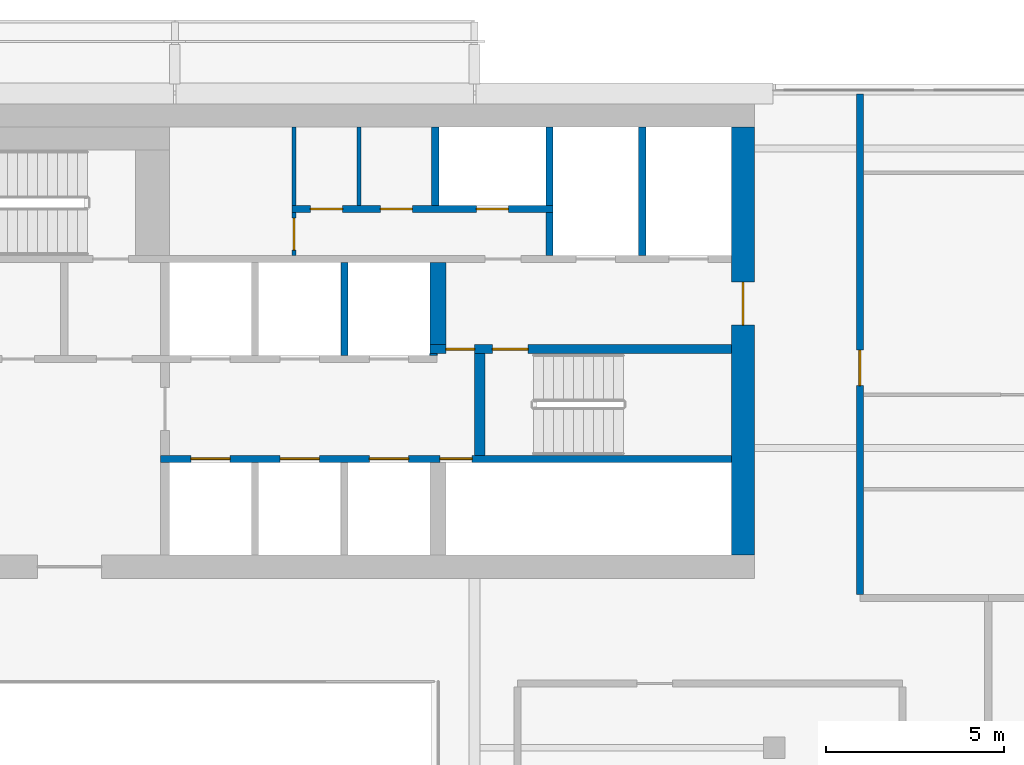
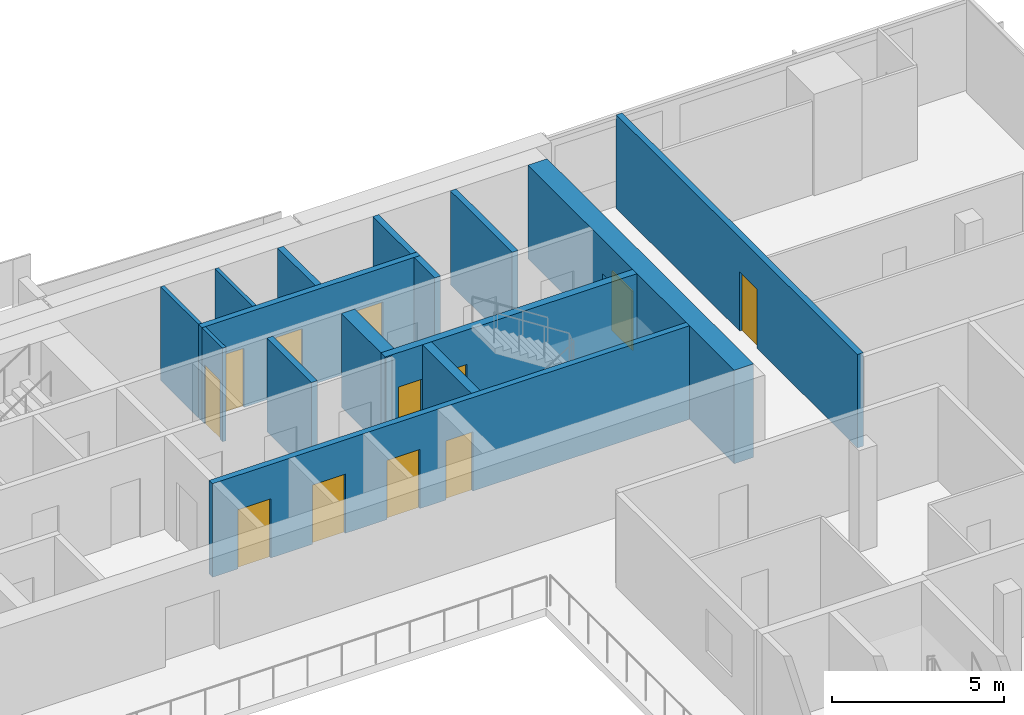
# One storey, part 22 of 26: 16 walls, 12 doors, 12 openings.
"""IFC4 building model written with IfcOpenShell, lengths in metres."""

import ifcopenshell
import ifcopenshell.guid

model = None  # the IFC model being written
_history = None  # IfcOwnerHistory: only IFC2X3 demands one
_inside = {}  # id of a spatial element -> (the spatial element, [elements in it])
_under = {}  # id of a project, library or spatial element -> (it, [spatial elements below it])
_declared = {}  # id of a project -> (the project, [libraries it declares])
_typed = {}  # id of a type object -> (the type object, [elements of that type])
_made_of = {}  # id of a material, layer set ... -> (it, [elements and type objects made of it])


def new_model(schema):
    """Start an empty IFC model of exactly this schema.

    Asked for "IFC4X3", IfcOpenShell would pick the latest addendum, in which some entities
    have other attributes; the version numbers below select the first issue.
    IFC2X3 requires an IfcOwnerHistory on every rooted entity: one is made here for all.
    """
    global model, _history
    if schema == "IFC4X3":
        model = ifcopenshell.file(schema_version=(4, 3, 0, 0))
    else:
        model = ifcopenshell.file(schema=schema)
    _inside.clear()
    _under.clear()
    _declared.clear()
    _typed.clear()
    _made_of.clear()
    _history = None
    if model.schema == "IFC2X3":
        org = make("IfcOrganization", Name="unknown")
        user = make(
            "IfcPersonAndOrganization",
            ThePerson=make("IfcPerson", FamilyName="unknown"),
            TheOrganization=org,
        )
        app = make(
            "IfcApplication",
            ApplicationDeveloper=org,
            Version="unknown",
            ApplicationFullName="unknown",
            ApplicationIdentifier="unknown",
        )
        _history = make(
            "IfcOwnerHistory",
            OwningUser=user,
            OwningApplication=app,
            ChangeAction="ADDED",
            CreationDate=0,
        )
    return model


def make(cls, **values):
    """One entity of the class cls with the attributes given. An attribute that is None is left unset."""
    return model.create_entity(
        cls, **{name: value for name, value in values.items() if value is not None}
    )


def rooted(cls, **values):
    """An entity with a GlobalId (a new one), such as an element, a storey or a relation."""
    return make(cls, GlobalId=ifcopenshell.guid.new(), OwnerHistory=_history, **values)


def si_unit(unit_type, name, prefix=None):
    """IfcSIUnit, for example si_unit("LENGTHUNIT", "METRE", prefix="MILLI")."""
    return make("IfcSIUnit", UnitType=unit_type, Prefix=prefix, Name=name)


def assignment(units):
    """IfcUnitAssignment: the units of a project."""
    return None if units is None else make("IfcUnitAssignment", Units=units)


def point(xyz):
    """IfcCartesianPoint."""
    return None if xyz is None else make("IfcCartesianPoint", Coordinates=xyz)


def direction(xyz):
    """IfcDirection."""
    return None if xyz is None else make("IfcDirection", DirectionRatios=xyz)


def frame(location, z_axis=None, x_axis=None):
    """IfcAxis2Placement3D, a coordinate frame: its origin and axes. An axis left out is left unset."""
    return make(
        "IfcAxis2Placement3D",
        Location=point(location),
        Axis=direction(z_axis),
        RefDirection=direction(x_axis),
    )


def frame_2d(location, x_axis=None):
    """IfcAxis2Placement2D, a coordinate frame in the plane: its origin and x axis."""
    return make(
        "IfcAxis2Placement2D", Location=point(location), RefDirection=direction(x_axis)
    )


def origin():
    """The frame at (0, 0, 0) with its axes left unset."""
    return frame((0.0, 0.0, 0.0))


def place(relative_to, where):
    """IfcLocalPlacement: puts the frame where relative to a parent placement (None: the world)."""
    return make(
        "IfcLocalPlacement", PlacementRelTo=relative_to, RelativePlacement=where
    )


def context(
    kind, dimensions, precision=None, world=None, true_north=None, identifier=None
):
    """IfcGeometricRepresentationContext, for example the 3D "Model" context."""
    return make(
        "IfcGeometricRepresentationContext",
        ContextIdentifier=identifier,
        ContextType=kind,
        CoordinateSpaceDimension=dimensions,
        Precision=precision,
        WorldCoordinateSystem=world,
        TrueNorth=true_north,
    )


def subcontext(parent, identifier, kind, view, scale=None):
    """IfcGeometricRepresentationSubContext, for example "Body" below "Model"."""
    return make(
        "IfcGeometricRepresentationSubContext",
        ContextIdentifier=identifier,
        ContextType=kind,
        ParentContext=parent,
        TargetScale=scale,
        TargetView=view,
    )


def project(units=None, contexts=None):
    """IfcProject with its units and contexts."""
    return rooted(
        "IfcProject",
        Name="project",
        RepresentationContexts=contexts,
        UnitsInContext=assignment(units),
    )


def spatial(cls, under=None, at=None, **own):
    """A site, building, storey or space (cls), placed at a placement, below another one or the project."""
    s = rooted(cls, ObjectPlacement=at, **own)
    if under is not None:
        _under.setdefault(under.id(), (under, []))[1].append(s)
    return s


def profile(cls, at=None, kind="AREA", **sizes):
    """A parametric profile (cls). Its sizes go by their IFC names, for example OverallWidth=200.0."""
    return make(cls, ProfileType=kind, Position=at, **sizes)


def rectangle(**sizes):
    """IfcRectangleProfileDef."""
    return profile("IfcRectangleProfileDef", **sizes)


def extrude(swept, where, along, depth):
    """IfcExtrudedAreaSolid: the profile swept, set in the frame where, extruded along a direction by depth."""
    return make(
        "IfcExtrudedAreaSolid",
        SweptArea=swept,
        Position=where,
        ExtrudedDirection=direction(along),
        Depth=depth,
    )


def shape(context_of_items, identifier, shape_type, items):
    """IfcShapeRepresentation: the items that make up one representation, for example the "Body"."""
    return make(
        "IfcShapeRepresentation",
        ContextOfItems=context_of_items,
        RepresentationIdentifier=identifier,
        RepresentationType=shape_type,
        Items=items,
    )


def material(Name=None, Category=None):
    """IfcMaterial."""
    return make("IfcMaterial", Name=Name, Category=Category)


def layer(
    of_material, thickness, ventilated=None, Name=None, Category=None, Priority=None
):
    """IfcMaterialLayer: one layer of a wall or slab, of a material (None: an air gap)."""
    return make(
        "IfcMaterialLayer",
        Material=of_material,
        LayerThickness=thickness,
        IsVentilated=ventilated,
        Name=Name,
        Category=Category,
        Priority=Priority,
    )


def layer_set(layers, Name=None):
    """IfcMaterialLayerSet."""
    return make("IfcMaterialLayerSet", MaterialLayers=layers, LayerSetName=Name)


def made_of(thing, what):
    """Note that an element or type object is made of a material, layer set ...; save() writes the relation."""
    if what is not None:
        _made_of.setdefault(what.id(), (what, []))[1].append(thing)
    return thing


def type_object(cls, material=None, **own):
    """A type object (cls), such as IfcWallType, which elements share."""
    return made_of(rooted(cls, **own), material)


def element(
    cls,
    number,
    at=None,
    inside=None,
    cuts=None,
    type_object=None,
    material=None,
    context=None,
    identifier="Body",
    shape_type=None,
    held_by="IfcProductDefinitionShape",
    body=None,
    shapes=None,
    **own,
):
    """One element of the class cls, such as IfcWall. Its Tag is "e" and its number.

    at: its placement. inside: the storey or other place that contains it. cuts: it is an
    opening in that element (IfcRelVoidsElement). A single representation is given by context,
    identifier, shape_type and body (its items); several are given by shapes. held_by: the class
    of the entity that holds the representations. save() writes the other relations.
    """
    e = rooted(cls, Tag="e%d" % number, ObjectPlacement=at, **own)
    if body is not None:
        shapes = [shape(context, identifier, shape_type, body)]
    if shapes is not None:
        e.Representation = make(held_by, Representations=shapes)
    if inside is not None:
        _inside.setdefault(inside.id(), (inside, []))[1].append(e)
    if cuts is not None:
        rooted(
            "IfcRelVoidsElement", RelatingBuildingElement=cuts, RelatedOpeningElement=e
        )
    if type_object is not None:
        _typed.setdefault(type_object.id(), (type_object, []))[1].append(e)
    return made_of(e, material)


def fill(opening, filler):
    """IfcRelFillsElement: the door or window that sits in an opening."""
    return rooted(
        "IfcRelFillsElement",
        RelatingOpeningElement=opening,
        RelatedBuildingElement=filler,
    )


def aggregate(whole, parts):
    """IfcRelAggregates: a whole, such as a stair, and the parts it consists of."""
    return rooted("IfcRelAggregates", RelatingObject=whole, RelatedObjects=parts)


def save(model, path):
    """Write the relations noted so far, then the file.

    IfcRelAggregates (storeys below a building ...), IfcRelContainedInSpatialStructure (elements
    in a storey), IfcRelDefinesByType, IfcRelAssociatesMaterial and IfcRelDeclares: one each for
    every whole, place, type object, material and project.
    """
    for whole, parts in _under.values():
        aggregate(whole, parts)
    for where, things in _inside.values():
        rooted(
            "IfcRelContainedInSpatialStructure",
            RelatedElements=things,
            RelatingStructure=where,
        )
    for kind, things in _typed.values():
        rooted("IfcRelDefinesByType", RelatedObjects=things, RelatingType=kind)
    for what, things in _made_of.values():
        rooted("IfcRelAssociatesMaterial", RelatedObjects=things, RelatingMaterial=what)
    for by, libraries in _declared.values():
        rooted("IfcRelDeclares", RelatingContext=by, RelatedDefinitions=libraries)
    model.write(path)


model = new_model("IFC4")

# Units and contexts
model_context = context("Model", 3, precision=1e-05, world=origin(), true_north=direction((0.0, 1.0)))
body_context = subcontext(model_context, "Body", "Model", "MODEL_VIEW")
ifc_project = project(units=[si_unit("LENGTHUNIT", "METRE"), si_unit("AREAUNIT", "SQUARE_METRE"), si_unit("VOLUMEUNIT", "CUBIC_METRE"), si_unit("PLANEANGLEUNIT", "RADIAN"), si_unit("MASSUNIT", "GRAM", prefix="KILO")], contexts=[model_context])

# Site, building, storey
site_placement = place(None, origin())
site = spatial("IfcSite", under=ifc_project, at=site_placement, CompositionType="ELEMENT")
building_placement = place(site_placement, origin())
building = spatial("IfcBuilding", under=site, at=building_placement, Name="Saffron Gate Tower", CompositionType="ELEMENT")
storey_placement = place(building_placement, frame((0.0, 0.0, 230.699951171875)))
storey = spatial("IfcBuildingStorey", under=building, at=storey_placement, Name="L56", CompositionType="ELEMENT", Elevation=230.699951171875)

# Wall, openings, doors
ifc_material_1 = material(Name="Concrete C60", Category="concrete")
ifc_layer_1 = layer(ifc_material_1, 0.25)
ifc_layer_set_1 = layer_set([ifc_layer_1], Name="CW14 RC core wall 250 C60")
wall_type_1 = type_object("IfcWallType", Name="CW14 RC core wall 250 C60", PredefinedType="SOLIDWALL", material=ifc_layer_set_1)
wall_1_placement = place(storey_placement, frame((98.949951171875, 68.175048828125, 0.0), z_axis=(0.0, 0.0, 1.0), x_axis=(1.0, 0.0, 0.0)))
wall_1 = element("IfcWall", 1, at=wall_1_placement, inside=storey, type_object=wall_type_1, Name="Wall CW14-L56-29", PredefinedType="SOLIDWALL", context=body_context, shape_type="SweptSolid", body=[
    extrude(rectangle(XDim=8.449951171875, YDim=0.25, at=frame_2d((4.22509765625, 0.0))), origin(), (0.0, 0.0, 1.0), 3.320068359375),
])
opening_1_placement = place(wall_1_placement, frame((0.449951171875, 0.0, 0.0)))
opening_1 = element("IfcOpeningElement", 2, at=opening_1_placement, cuts=wall_1, Name="Opening CR-05", PredefinedType="OPENING", context=body_context, shape_type="SweptSolid", body=[
    extrude(rectangle(XDim=0.800048828125, YDim=2.10009765625, at=frame_2d((0.39990234375, 1.050048828125))), frame((0.0, 0.135009765625, 0.0), z_axis=(0.0, -1.0, 0.0), x_axis=(1.0, 0.0, 0.0)), (0.0, 0.0, 1.0), 0.27001953125),
])
opening_2_placement = place(wall_1_placement, frame((1.75, 0.0, 0.0)))
opening_2 = element("IfcOpeningElement", 3, at=opening_2_placement, cuts=wall_1, Name="Opening CR-16", PredefinedType="OPENING", context=body_context, shape_type="SweptSolid", body=[
    extrude(rectangle(XDim=1.0, YDim=2.10009765625, at=frame_2d((0.5, 1.050048828125))), frame((0.0, 0.135009765625, 0.0), z_axis=(0.0, -1.0, 0.0), x_axis=(1.0, 0.0, 0.0)), (0.0, 0.0, 1.0), 0.27001953125),
])
ifc_material_2 = material(Name="Steel fire door set", Category="steel")
door_type_1 = type_object("IfcDoorType", Name="CD5 Stair door 1000x2100 EI 120", OperationType="NOTDEFINED", PredefinedType="DOOR", material=ifc_material_2)
door_1_placement = place(opening_2_placement, origin())
door_1 = element("IfcDoor", 4, at=door_1_placement, inside=storey, type_object=door_type_1, Name="DOOR CR-16", OperationType="SINGLE_SWING_RIGHT", OverallHeight=2.10009765625, OverallWidth=1.0, PredefinedType="DOOR", context=body_context, shape_type="SweptSolid", body=[
    extrude(rectangle(XDim=1.0, YDim=2.10009765625, at=frame_2d((0.5, 1.050048828125))), frame((0.0, 0.02490234375, 0.0), z_axis=(0.0, -1.0, 0.0), x_axis=(1.0, 0.0, 0.0)), (0.0, 0.0, 1.0), 0.050048828125),
])
fill(opening_2, door_1)
door_type_2 = type_object("IfcDoorType", Name="CD6 Lobby door 800x2100 EI 120", OperationType="NOTDEFINED", PredefinedType="DOOR", material=ifc_material_2)
door_2_placement = place(opening_1_placement, origin())
door_2 = element("IfcDoor", 5, at=door_2_placement, inside=storey, type_object=door_type_2, Name="DOOR CR-05", OperationType="SINGLE_SWING_LEFT", OverallHeight=2.10009765625, OverallWidth=0.800048828125, PredefinedType="DOOR", context=body_context, shape_type="SweptSolid", body=[
    extrude(rectangle(XDim=0.800048828125, YDim=2.10009765625, at=frame_2d((0.39990234375, 1.050048828125))), frame((0.0, 0.02490234375, 0.0), z_axis=(0.0, -1.0, 0.0), x_axis=(1.0, 0.0, 0.0)), (0.0, 0.0, 1.0), 0.050048828125),
])
fill(opening_1, door_2)

ifc_layer_2 = layer(ifc_material_1, 0.199951171875)
ifc_layer_set_2 = layer_set([ifc_layer_2], Name="CW15 RC core wall 200 C60")
wall_type_2 = type_object("IfcWallType", Name="CW15 RC core wall 200 C60", PredefinedType="SOLIDWALL", material=ifc_layer_set_2)
wall_2_placement = place(storey_placement, frame((91.39990234375, 65.10009765625, 0.0), z_axis=(0.0, 0.0, 1.0), x_axis=(1.0, 0.0, 0.0)))
wall_2 = element("IfcWall", 6, at=wall_2_placement, inside=storey, type_object=wall_type_2, Name="Wall CW15-L56-14", PredefinedType="SOLIDWALL", context=body_context, shape_type="SweptSolid", body=[
    extrude(rectangle(XDim=16.0, YDim=0.199951171875, at=frame_2d((8.0, 0.0))), origin(), (0.0, 0.0, 1.0), 3.320068359375),
])
opening_3_placement = place(wall_2_placement, frame((0.85009765625, 0.0, 0.0)))
opening_3 = element("IfcOpeningElement", 7, at=opening_3_placement, cuts=wall_2, Name="Opening LD-HR1", PredefinedType="OPENING", context=body_context, shape_type="SweptSolid", body=[
    extrude(rectangle(XDim=1.10009765625, YDim=2.10009765625, at=frame_2d((0.550048828125, 1.050048828125))), frame((0.0, 0.10986328125, 0.0), z_axis=(0.0, -1.0, 0.0), x_axis=(1.0, 0.0, 0.0)), (0.0, 0.0, 1.0), 0.219970703125),
])
opening_4_placement = place(wall_2_placement, frame((3.35009765625, 0.0, 0.0)))
opening_4 = element("IfcOpeningElement", 8, at=opening_4_placement, cuts=wall_2, Name="Opening LD-HR2", PredefinedType="OPENING", context=body_context, shape_type="SweptSolid", body=[
    extrude(rectangle(XDim=1.10009765625, YDim=2.10009765625, at=frame_2d((0.550048828125, 1.050048828125))), frame((0.0, 0.10986328125, 0.0), z_axis=(0.0, -1.0, 0.0), x_axis=(1.0, 0.0, 0.0)), (0.0, 0.0, 1.0), 0.219970703125),
])
opening_5_placement = place(wall_2_placement, frame((5.85009765625, 0.0, 0.0)))
opening_5 = element("IfcOpeningElement", 9, at=opening_5_placement, cuts=wall_2, Name="Opening LD-HR3", PredefinedType="OPENING", context=body_context, shape_type="SweptSolid", body=[
    extrude(rectangle(XDim=1.10009765625, YDim=2.10009765625, at=frame_2d((0.550048828125, 1.050048828125))), frame((0.0, 0.10986328125, 0.0), z_axis=(0.0, -1.0, 0.0), x_axis=(1.0, 0.0, 0.0)), (0.0, 0.0, 1.0), 0.219970703125),
])
opening_6_placement = place(wall_2_placement, frame((7.830078125, 0.0, 0.0)))
opening_6 = element("IfcOpeningElement", 10, at=opening_6_placement, cuts=wall_2, Name="Opening CR-48", PredefinedType="OPENING", context=body_context, shape_type="SweptSolid", body=[
    extrude(rectangle(XDim=0.89990234375, YDim=2.10009765625, at=frame_2d((0.449951171875, 1.050048828125))), frame((0.0, 0.10986328125, 0.0), z_axis=(0.0, -1.0, 0.0), x_axis=(1.0, 0.0, 0.0)), (0.0, 0.0, 1.0), 0.219970703125),
])
door_type_3 = type_object("IfcDoorType", Name="CD2 Riser door 900x2100 EI 60", OperationType="NOTDEFINED", PredefinedType="DOOR", material=ifc_material_2)
door_3_placement = place(opening_6_placement, origin())
door_3 = element("IfcDoor", 11, at=door_3_placement, inside=storey, type_object=door_type_3, Name="DOOR CR-48", OperationType="SINGLE_SWING_RIGHT", OverallHeight=2.10009765625, OverallWidth=0.89990234375, PredefinedType="DOOR", context=body_context, shape_type="SweptSolid", body=[
    extrude(rectangle(XDim=0.89990234375, YDim=2.10009765625, at=frame_2d((0.449951171875, 1.050048828125))), frame((0.0, 0.02490234375, 0.0), z_axis=(0.0, -1.0, 0.0), x_axis=(1.0, 0.0, 0.0)), (0.0, 0.0, 1.0), 0.050048828125),
])
fill(opening_6, door_3)
ifc_material_3 = material(Name="Stainless steel landing door", Category="steel")
door_type_4 = type_object("IfcDoorType", Name="LD Lift landing door 1100x2100 EI 120", OperationType="SLIDING_TO_LEFT", PredefinedType="DOOR", material=ifc_material_3)
door_4_placement = place(opening_3_placement, origin())
door_4 = element("IfcDoor", 12, at=door_4_placement, inside=storey, type_object=door_type_4, Name="LANDING DOOR LD-HR1", OperationType="SLIDING_TO_LEFT", OverallHeight=2.10009765625, OverallWidth=1.10009765625, PredefinedType="DOOR", context=body_context, shape_type="SweptSolid", body=[
    extrude(rectangle(XDim=1.10009765625, YDim=2.10009765625, at=frame_2d((0.550048828125, 1.050048828125))), frame((0.0, 0.02490234375, 0.0), z_axis=(0.0, -1.0, 0.0), x_axis=(1.0, 0.0, 0.0)), (0.0, 0.0, 1.0), 0.050048828125),
])
fill(opening_3, door_4)
door_5_placement = place(opening_4_placement, origin())
door_5 = element("IfcDoor", 13, at=door_5_placement, inside=storey, type_object=door_type_4, Name="LANDING DOOR LD-HR2", OperationType="SLIDING_TO_LEFT", OverallHeight=2.10009765625, OverallWidth=1.10009765625, PredefinedType="DOOR", context=body_context, shape_type="SweptSolid", body=[
    extrude(rectangle(XDim=1.10009765625, YDim=2.10009765625, at=frame_2d((0.550048828125, 1.050048828125))), frame((0.0, 0.02490234375, 0.0), z_axis=(0.0, -1.0, 0.0), x_axis=(1.0, 0.0, 0.0)), (0.0, 0.0, 1.0), 0.050048828125),
])
fill(opening_4, door_5)
door_6_placement = place(opening_5_placement, origin())
door_6 = element("IfcDoor", 14, at=door_6_placement, inside=storey, type_object=door_type_4, Name="LANDING DOOR LD-HR3", OperationType="SLIDING_TO_LEFT", OverallHeight=2.10009765625, OverallWidth=1.10009765625, PredefinedType="DOOR", context=body_context, shape_type="SweptSolid", body=[
    extrude(rectangle(XDim=1.10009765625, YDim=2.10009765625, at=frame_2d((0.550048828125, 1.050048828125))), frame((0.0, 0.02490234375, 0.0), z_axis=(0.0, -1.0, 0.0), x_axis=(1.0, 0.0, 0.0)), (0.0, 0.0, 1.0), 0.050048828125),
])
fill(opening_5, door_6)

# Walls
wall_3_placement = place(storey_placement, frame((96.550048828125, 68.0, 0.0), z_axis=(0.0, 0.0, 1.0), x_axis=(0.0, 1.0, 0.0)))
element("IfcWall", 15, at=wall_3_placement, inside=storey, type_object=wall_type_2, Name="Wall CW15-L56-26", PredefinedType="SOLIDWALL", context=body_context, shape_type="SweptSolid", body=[
    extrude(rectangle(XDim=2.60009765625, YDim=0.199951171875, at=frame_2d((1.300048828125, 0.0))), origin(), (0.0, 0.0, 1.0), 3.320068359375),
])
wall_4_placement = place(storey_placement, frame((102.300048828125, 70.800048828125, 0.0), z_axis=(0.0, 0.0, 1.0), x_axis=(0.0, 1.0, 0.0)))
element("IfcWall", 16, at=wall_4_placement, inside=storey, type_object=wall_type_2, Name="Wall CW15-L56-39", PredefinedType="SOLIDWALL", context=body_context, shape_type="SweptSolid", body=[
    extrude(rectangle(XDim=1.199951171875, YDim=0.199951171875, at=frame_2d((0.60009765625, 0.0))), origin(), (0.0, 0.0, 1.0), 3.320068359375),
])
wall_5_placement = place(storey_placement, frame((104.89990234375, 70.800048828125, 0.0), z_axis=(0.0, 0.0, 1.0), x_axis=(0.0, 1.0, 0.0)))
element("IfcWall", 17, at=wall_5_placement, inside=storey, type_object=wall_type_2, Name="Wall CW15-L56-40", PredefinedType="SOLIDWALL", context=body_context, shape_type="SweptSolid", body=[
    extrude(rectangle(XDim=3.599853515625, YDim=0.199951171875, at=frame_2d((1.7998046875, 0.0))), origin(), (0.0, 0.0, 1.0), 3.320068359375),
])

# Wall, openings, doors
wall_6_placement = place(storey_placement, frame((95.080078125, 72.10009765625, 0.0), z_axis=(0.0, 0.0, 1.0), x_axis=(1.0, 0.0, 0.0)))
wall_6 = element("IfcWall", 18, at=wall_6_placement, inside=storey, type_object=wall_type_2, Name="Wall CW15-L56-42", PredefinedType="SOLIDWALL", context=body_context, shape_type="SweptSolid", body=[
    extrude(rectangle(XDim=7.31982421875, YDim=0.199951171875, at=frame_2d((3.659912109375, 0.0))), origin(), (0.0, 0.0, 1.0), 3.320068359375),
])
opening_7_placement = place(wall_6_placement, frame((0.52001953125, 0.0, 0.0)))
opening_7 = element("IfcOpeningElement", 19, at=opening_7_placement, cuts=wall_6, Name="Opening CR-50", PredefinedType="OPENING", context=body_context, shape_type="SweptSolid", body=[
    extrude(rectangle(XDim=0.89990234375, YDim=2.10009765625, at=frame_2d((0.449951171875, 1.050048828125))), frame((0.0, 0.10986328125, 0.0), z_axis=(0.0, -1.0, 0.0), x_axis=(1.0, 0.0, 0.0)), (0.0, 0.0, 1.0), 0.219970703125),
])
opening_8_placement = place(wall_6_placement, frame((2.47998046875, 0.0, 0.0)))
opening_8 = element("IfcOpeningElement", 20, at=opening_8_placement, cuts=wall_6, Name="Opening CR-53", PredefinedType="OPENING", context=body_context, shape_type="SweptSolid", body=[
    extrude(rectangle(XDim=0.89990234375, YDim=2.10009765625, at=frame_2d((0.449951171875, 1.050048828125))), frame((0.0, 0.10986328125, 0.0), z_axis=(0.0, -1.0, 0.0), x_axis=(1.0, 0.0, 0.0)), (0.0, 0.0, 1.0), 0.219970703125),
])
opening_9_placement = place(wall_6_placement, frame((5.169921875, 0.0, 0.0)))
opening_9 = element("IfcOpeningElement", 21, at=opening_9_placement, cuts=wall_6, Name="Opening CR-70", PredefinedType="OPENING", context=body_context, shape_type="SweptSolid", body=[
    extrude(rectangle(XDim=0.89990234375, YDim=2.10009765625, at=frame_2d((0.449951171875, 1.050048828125))), frame((0.0, 0.10986328125, 0.0), z_axis=(0.0, -1.0, 0.0), x_axis=(1.0, 0.0, 0.0)), (0.0, 0.0, 1.0), 0.219970703125),
])
door_7_placement = place(opening_9_placement, origin())
door_7 = element("IfcDoor", 22, at=door_7_placement, inside=storey, type_object=door_type_3, Name="DOOR CR-70", OperationType="SINGLE_SWING_LEFT", OverallHeight=2.10009765625, OverallWidth=0.89990234375, PredefinedType="DOOR", context=body_context, shape_type="SweptSolid", body=[
    extrude(rectangle(XDim=0.89990234375, YDim=2.10009765625, at=frame_2d((0.449951171875, 1.050048828125))), frame((0.0, 0.02490234375, 0.0), z_axis=(0.0, -1.0, 0.0), x_axis=(1.0, 0.0, 0.0)), (0.0, 0.0, 1.0), 0.050048828125),
])
fill(opening_9, door_7)
door_type_5 = type_object("IfcDoorType", Name="CD9 Room door 900x2100 EI 60", OperationType="NOTDEFINED", PredefinedType="DOOR", material=ifc_material_2)
door_8_placement = place(opening_7_placement, origin())
door_8 = element("IfcDoor", 23, at=door_8_placement, inside=storey, type_object=door_type_5, Name="DOOR CR-50", OperationType="SINGLE_SWING_LEFT", OverallHeight=2.10009765625, OverallWidth=0.89990234375, PredefinedType="DOOR", context=body_context, shape_type="SweptSolid", body=[
    extrude(rectangle(XDim=0.89990234375, YDim=2.10009765625, at=frame_2d((0.449951171875, 1.050048828125))), frame((0.0, 0.02490234375, 0.0), z_axis=(0.0, -1.0, 0.0), x_axis=(1.0, 0.0, 0.0)), (0.0, 0.0, 1.0), 0.050048828125),
])
fill(opening_7, door_8)
door_9_placement = place(opening_8_placement, origin())
door_9 = element("IfcDoor", 24, at=door_9_placement, inside=storey, type_object=door_type_5, Name="DOOR CR-53", OperationType="SINGLE_SWING_LEFT", OverallHeight=2.10009765625, OverallWidth=0.89990234375, PredefinedType="DOOR", context=body_context, shape_type="SweptSolid", body=[
    extrude(rectangle(XDim=0.89990234375, YDim=2.10009765625, at=frame_2d((0.449951171875, 1.050048828125))), frame((0.0, 0.02490234375, 0.0), z_axis=(0.0, -1.0, 0.0), x_axis=(1.0, 0.0, 0.0)), (0.0, 0.0, 1.0), 0.050048828125),
])
fill(opening_8, door_9)

# Walls
for number, where, z_axis, x_axis, name in (
    (25, (99.10009765625, 72.199951171875, 0.0), (0.0, 0.0, 1.0), (0.0, 1.0, 0.0), "Wall CW15-L56-49"),
    (26, (102.300048828125, 72.199951171875, 0.0), (0.0, 0.0, 1.0), (0.0, 1.0, 0.0), "Wall CW15-L56-50"),
):
    element("IfcWall", number, at=place(storey_placement, frame(where, z_axis=z_axis, x_axis=x_axis)), inside=storey, type_object=wall_type_2, Name=name, PredefinedType="SOLIDWALL", context=body_context, shape_type="SweptSolid", body=[
        extrude(rectangle(XDim=2.199951171875, YDim=0.199951171875, at=frame_2d((1.10009765625, 0.0))), origin(), (0.0, 0.0, 1.0), 3.320068359375),
    ])
ifc_layer_3 = layer(ifc_material_1, 0.449951171875)
ifc_layer_set_3 = layer_set([ifc_layer_3], Name="CW16 RC core wall 450 C60")
wall_type_3 = type_object("IfcWallType", Name="CW16 RC core wall 450 C60", PredefinedType="SOLIDWALL", material=ifc_layer_set_3)
wall_7_placement = place(storey_placement, frame((99.175048828125, 68.300048828125, 0.0), z_axis=(0.0, 0.0, 1.0), x_axis=(0.0, 1.0, 0.0)))
element("IfcWall", 27, at=wall_7_placement, inside=storey, type_object=wall_type_3, Name="Wall CW16-L56-31", PredefinedType="SOLIDWALL", context=body_context, shape_type="SweptSolid", body=[
    extrude(rectangle(XDim=2.300048828125, YDim=0.449951171875, at=frame_2d((1.14990234375, 0.0))), origin(), (0.0, 0.0, 1.0), 3.320068359375),
])
ifc_layer_4 = layer(ifc_material_1, 0.300048828125)
ifc_layer_set_4 = layer_set([ifc_layer_4], Name="CW17 RC core wall 300 C60")
wall_type_4 = type_object("IfcWallType", Name="CW17 RC core wall 300 C60", PredefinedType="SOLIDWALL", material=ifc_layer_set_4)
wall_8_placement = place(storey_placement, frame((100.35009765625, 65.199951171875, 0.0), z_axis=(0.0, 0.0, 1.0), x_axis=(0.0, 1.0, 0.0)))
element("IfcWall", 28, at=wall_8_placement, inside=storey, type_object=wall_type_4, Name="Wall CW17-L56-18", PredefinedType="SOLIDWALL", context=body_context, shape_type="SweptSolid", body=[
    extrude(rectangle(XDim=2.85009765625, YDim=0.300048828125, at=frame_2d((1.425048828125, 0.0))), origin(), (0.0, 0.0, 1.0), 3.320068359375),
])
ifc_layer_5 = layer(ifc_material_1, 0.050048828125)
ifc_layer_set_5 = layer_set([ifc_layer_5], Name="CW18 RC core wall 50 C60")
wall_type_5 = type_object("IfcWallType", Name="CW18 RC core wall 50 C60", PredefinedType="SOLIDWALL", material=ifc_layer_set_5)
wall_9_placement = place(storey_placement, frame((98.949951171875, 68.02490234375, 0.0), z_axis=(0.0, 0.0, 1.0), x_axis=(1.0, 0.0, 0.0)))
element("IfcWall", 29, at=wall_9_placement, inside=storey, type_object=wall_type_5, Name="Wall CW18-L56-27", PredefinedType="SOLIDWALL", context=body_context, shape_type="SweptSolid", body=[
    extrude(rectangle(XDim=0.199951171875, YDim=0.050048828125, at=frame_2d((0.10009765625, 0.0))), origin(), (0.0, 0.0, 1.0), 3.320068359375),
])

# Wall, opening, door
ifc_layer_6 = layer(ifc_material_1, 0.64990234375)
ifc_layer_set_6 = layer_set([ifc_layer_6], Name="CW20 RC core wall 650 C60")
wall_type_6 = type_object("IfcWallType", Name="CW20 RC core wall 650 C60", PredefinedType="SOLIDWALL", material=ifc_layer_set_6)
wall_10_placement = place(storey_placement, frame((107.72509765625, 62.39990234375, 0.0), z_axis=(0.0, 0.0, 1.0), x_axis=(0.0, 1.0, 0.0)))
wall_10 = element("IfcWall", 30, at=wall_10_placement, inside=storey, type_object=wall_type_6, Name="Wall CW20-L56-4", PredefinedType="SOLIDWALL", context=body_context, shape_type="SweptSolid", body=[
    extrude(rectangle(XDim=12.0, YDim=0.64990234375, at=frame_2d((6.0, 0.0))), origin(), (0.0, 0.0, 1.0), 3.320068359375),
])
opening_10_placement = place(wall_10_placement, frame((6.449951171875, 0.0, 0.0)))
opening_10 = element("IfcOpeningElement", 31, at=opening_10_placement, cuts=wall_10, Name="Opening CR-08", PredefinedType="OPENING", context=body_context, shape_type="SweptSolid", body=[
    extrude(rectangle(XDim=1.199951171875, YDim=2.10009765625, at=frame_2d((0.60009765625, 1.050048828125))), frame((0.0, 0.3349609375, 0.0), z_axis=(0.0, -1.0, 0.0), x_axis=(1.0, 0.0, 0.0)), (0.0, 0.0, 1.0), 0.669921875),
])
door_type_6 = type_object("IfcDoorType", Name="CD7 Core entrance door 1200x2100 EI 120", OperationType="NOTDEFINED", PredefinedType="DOOR", material=ifc_material_2)
door_10_placement = place(opening_10_placement, origin())
door_10 = element("IfcDoor", 32, at=door_10_placement, inside=storey, type_object=door_type_6, Name="DOOR CR-08", OperationType="SINGLE_SWING_RIGHT", OverallHeight=2.10009765625, OverallWidth=1.199951171875, PredefinedType="DOOR", context=body_context, shape_type="SweptSolid", body=[
    extrude(rectangle(XDim=1.199951171875, YDim=2.10009765625, at=frame_2d((0.60009765625, 1.050048828125))), frame((0.0, 0.02490234375, 0.0), z_axis=(0.0, -1.0, 0.0), x_axis=(1.0, 0.0, 0.0)), (0.0, 0.0, 1.0), 0.050048828125),
])
fill(opening_10, door_10)

ifc_material_4 = material(Name="Gypsum board partition on steel studs", Category="steel")
ifc_layer_7 = layer(ifc_material_4, 0.1201171875)
ifc_layer_set_7 = layer_set([ifc_layer_7], Name="CW8 Core partition 120")
wall_type_7 = type_object("IfcWallType", Name="CW8 Core partition 120", PredefinedType="PARTITIONING", material=ifc_layer_set_7)
wall_11_placement = place(storey_placement, frame((95.139892578125, 70.800048828125, 0.0), z_axis=(0.0, 0.0, 1.0), x_axis=(0.0, 1.0, 0.0)))
wall_11 = element("IfcWall", 33, at=wall_11_placement, inside=storey, type_object=wall_type_7, Name="Wall CW8-L56-38", PredefinedType="PARTITIONING", context=body_context, shape_type="SweptSolid", body=[
    extrude(rectangle(XDim=1.199951171875, YDim=0.1201171875, at=frame_2d((0.60009765625, 0.0))), origin(), (0.0, 0.0, 1.0), 3.320068359375),
])
opening_11_placement = place(wall_11_placement, frame((0.14990234375, 0.0, 0.0)))
opening_11 = element("IfcOpeningElement", 34, at=opening_11_placement, cuts=wall_11, Name="Opening CR-54", PredefinedType="OPENING", context=body_context, shape_type="SweptSolid", body=[
    extrude(rectangle(XDim=0.89990234375, YDim=2.10009765625, at=frame_2d((0.449951171875, 1.050048828125))), frame((0.0, 0.070068359375, 0.0), z_axis=(0.0, -1.0, 0.0), x_axis=(1.0, 0.0, 0.0)), (0.0, 0.0, 1.0), 0.14013671875),
])
door_11_placement = place(opening_11_placement, origin())
door_11 = element("IfcDoor", 35, at=door_11_placement, inside=storey, type_object=door_type_5, Name="DOOR CR-54", OperationType="SINGLE_SWING_LEFT", OverallHeight=2.10009765625, OverallWidth=0.89990234375, PredefinedType="DOOR", context=body_context, shape_type="SweptSolid", body=[
    extrude(rectangle(XDim=0.89990234375, YDim=2.10009765625, at=frame_2d((0.449951171875, 1.050048828125))), frame((0.0, 0.02490234375, 0.0), z_axis=(0.0, -1.0, 0.0), x_axis=(1.0, 0.0, 0.0)), (0.0, 0.0, 1.0), 0.050048828125),
])
fill(opening_11, door_11)

# Walls
for number, where, z_axis, x_axis, name in (
    (36, (95.139892578125, 72.199951171875, 0.0), (0.0, 0.0, 1.0), (0.0, 1.0, 0.0), "Wall CW8-L56-47"),
    (37, (96.9599609375, 72.199951171875, 0.0), (0.0, 0.0, 1.0), (0.0, 1.0, 0.0), "Wall CW8-L56-48"),
):
    element("IfcWall", number, at=place(storey_placement, frame(where, z_axis=z_axis, x_axis=x_axis)), inside=storey, type_object=wall_type_7, Name=name, PredefinedType="PARTITIONING", context=body_context, shape_type="SweptSolid", body=[
        extrude(rectangle(XDim=2.199951171875, YDim=0.1201171875, at=frame_2d((1.10009765625, 0.0))), origin(), (0.0, 0.0, 1.0), 3.320068359375),
    ])

# Wall, opening, door
ifc_material_5 = material(Name="Clay brick masonry, rendered", Category="masonry")
ifc_layer_8 = layer(ifc_material_5, 0.199951171875)
ifc_layer_set_8 = layer_set([ifc_layer_8], Name="PW3 Corridor wall 200")
wall_type_8 = type_object("IfcWallType", Name="PW3 Corridor wall 200", PredefinedType="PARTITIONING", material=ifc_layer_set_8)
wall_12_placement = place(storey_placement, frame((111.0, 75.320068359375, 0.0), z_axis=(0.0, 0.0, 1.0), x_axis=(0.0, -1.0, 0.0)))
wall_12 = element("IfcWall", 38, at=wall_12_placement, inside=storey, type_object=wall_type_8, Name="Wall D3-102", PredefinedType="PARTITIONING", context=body_context, shape_type="SweptSolid", body=[
    extrude(rectangle(XDim=14.02001953125, YDim=0.199951171875, at=frame_2d((7.010009765625, 0.0))), origin(), (0.0, 0.0, 1.0), 3.320068359375),
])
opening_12_placement = place(wall_12_placement, frame((7.169921875, 0.0, 0.0)))
opening_12 = element("IfcOpeningElement", 39, at=opening_12_placement, cuts=wall_12, Name="Opening D3-7", PredefinedType="OPENING", context=body_context, shape_type="SweptSolid", body=[
    extrude(rectangle(XDim=1.0, YDim=2.10009765625, at=frame_2d((0.5, 1.050048828125))), frame((0.0, 0.10986328125, 0.0), z_axis=(0.0, -1.0, 0.0), x_axis=(1.0, 0.0, 0.0)), (0.0, 0.0, 1.0), 0.219970703125),
])
ifc_material_6 = material(Name="Timber fire door set", Category="wood")
door_type_7 = type_object("IfcDoorType", Name="FD1 Flat entry door 1000x2100", OperationType="NOTDEFINED", PredefinedType="DOOR", material=ifc_material_6)
door_12_placement = place(opening_12_placement, origin())
door_12 = element("IfcDoor", 40, at=door_12_placement, inside=storey, type_object=door_type_7, Name="Door D3-7", OperationType="SINGLE_SWING_RIGHT", OverallHeight=2.10009765625, OverallWidth=1.0, PredefinedType="DOOR", context=body_context, shape_type="SweptSolid", body=[
    extrude(rectangle(XDim=1.0, YDim=2.10009765625, at=frame_2d((0.5, 1.050048828125))), frame((0.0, 0.02490234375, 0.0), z_axis=(0.0, -1.0, 0.0), x_axis=(1.0, 0.0, 0.0)), (0.0, 0.0, 1.0), 0.050048828125),
])
fill(opening_12, door_12)

save(model, "model.ifc")
